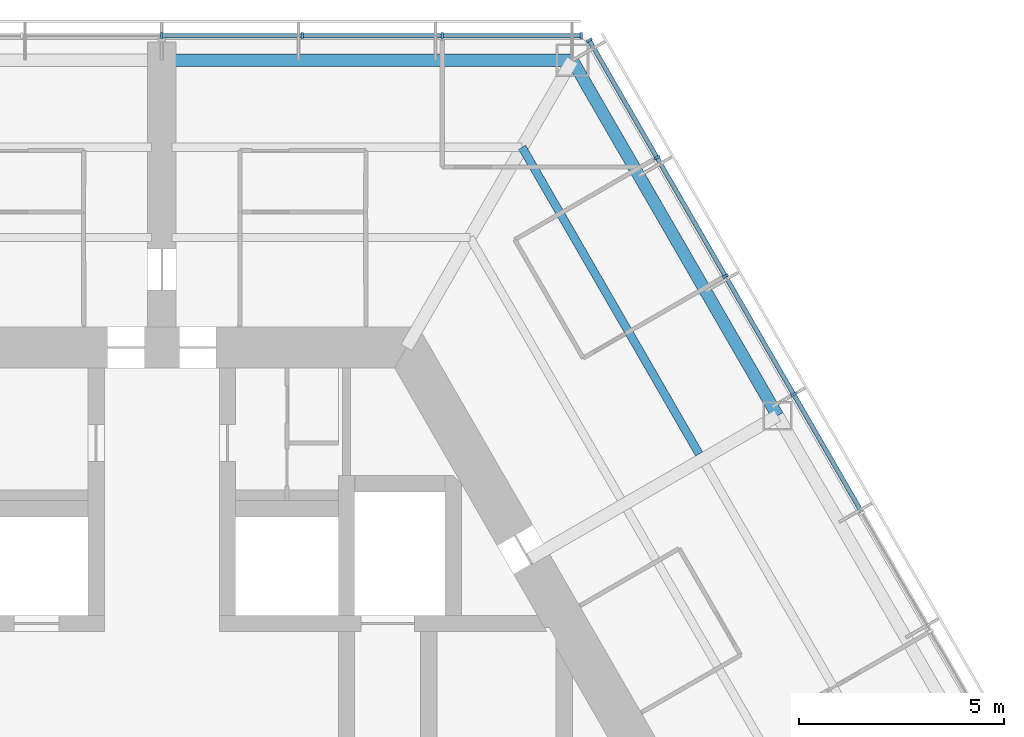
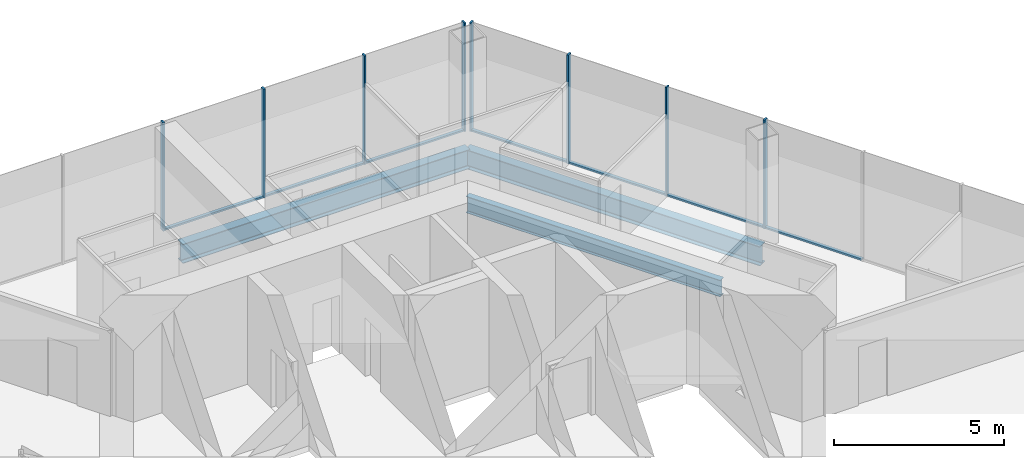
# One storey, part 8 of 18: 15 members, 3 beams, 2 elements without a shape of their own.
"""IFC4 building model written with IfcOpenShell, lengths in metres."""

import ifcopenshell
import ifcopenshell.guid

model = None  # the IFC model being written
_history = None  # IfcOwnerHistory: only IFC2X3 demands one
_inside = {}  # id of a spatial element -> (the spatial element, [elements in it])
_under = {}  # id of a project, library or spatial element -> (it, [spatial elements below it])
_declared = {}  # id of a project -> (the project, [libraries it declares])
_typed = {}  # id of a type object -> (the type object, [elements of that type])
_made_of = {}  # id of a material, layer set ... -> (it, [elements and type objects made of it])


def new_model(schema):
    """Start an empty IFC model of exactly this schema.

    Asked for "IFC4X3", IfcOpenShell would pick the latest addendum, in which some entities
    have other attributes; the version numbers below select the first issue.
    IFC2X3 requires an IfcOwnerHistory on every rooted entity: one is made here for all.
    """
    global model, _history
    if schema == "IFC4X3":
        model = ifcopenshell.file(schema_version=(4, 3, 0, 0))
    else:
        model = ifcopenshell.file(schema=schema)
    _inside.clear()
    _under.clear()
    _declared.clear()
    _typed.clear()
    _made_of.clear()
    _history = None
    if model.schema == "IFC2X3":
        org = make("IfcOrganization", Name="unknown")
        user = make(
            "IfcPersonAndOrganization",
            ThePerson=make("IfcPerson", FamilyName="unknown"),
            TheOrganization=org,
        )
        app = make(
            "IfcApplication",
            ApplicationDeveloper=org,
            Version="unknown",
            ApplicationFullName="unknown",
            ApplicationIdentifier="unknown",
        )
        _history = make(
            "IfcOwnerHistory",
            OwningUser=user,
            OwningApplication=app,
            ChangeAction="ADDED",
            CreationDate=0,
        )
    return model


def make(cls, **values):
    """One entity of the class cls with the attributes given. An attribute that is None is left unset."""
    return model.create_entity(
        cls, **{name: value for name, value in values.items() if value is not None}
    )


def rooted(cls, **values):
    """An entity with a GlobalId (a new one), such as an element, a storey or a relation."""
    return make(cls, GlobalId=ifcopenshell.guid.new(), OwnerHistory=_history, **values)


def si_unit(unit_type, name, prefix=None):
    """IfcSIUnit, for example si_unit("LENGTHUNIT", "METRE", prefix="MILLI")."""
    return make("IfcSIUnit", UnitType=unit_type, Prefix=prefix, Name=name)


def assignment(units):
    """IfcUnitAssignment: the units of a project."""
    return None if units is None else make("IfcUnitAssignment", Units=units)


def point(xyz):
    """IfcCartesianPoint."""
    return None if xyz is None else make("IfcCartesianPoint", Coordinates=xyz)


def direction(xyz):
    """IfcDirection."""
    return None if xyz is None else make("IfcDirection", DirectionRatios=xyz)


def frame(location, z_axis=None, x_axis=None):
    """IfcAxis2Placement3D, a coordinate frame: its origin and axes. An axis left out is left unset."""
    return make(
        "IfcAxis2Placement3D",
        Location=point(location),
        Axis=direction(z_axis),
        RefDirection=direction(x_axis),
    )


def frame_2d(location, x_axis=None):
    """IfcAxis2Placement2D, a coordinate frame in the plane: its origin and x axis."""
    return make(
        "IfcAxis2Placement2D", Location=point(location), RefDirection=direction(x_axis)
    )


def origin():
    """The frame at (0, 0, 0) with its axes left unset."""
    return frame((0.0, 0.0, 0.0))


def origin_2d():
    """The frame at (0, 0) in the plane with its x axis left unset."""
    return frame_2d((0.0, 0.0))


def place(relative_to, where):
    """IfcLocalPlacement: puts the frame where relative to a parent placement (None: the world)."""
    return make(
        "IfcLocalPlacement", PlacementRelTo=relative_to, RelativePlacement=where
    )


def context(
    kind, dimensions, precision=None, world=None, true_north=None, identifier=None
):
    """IfcGeometricRepresentationContext, for example the 3D "Model" context."""
    return make(
        "IfcGeometricRepresentationContext",
        ContextIdentifier=identifier,
        ContextType=kind,
        CoordinateSpaceDimension=dimensions,
        Precision=precision,
        WorldCoordinateSystem=world,
        TrueNorth=true_north,
    )


def subcontext(parent, identifier, kind, view, scale=None):
    """IfcGeometricRepresentationSubContext, for example "Body" below "Model"."""
    return make(
        "IfcGeometricRepresentationSubContext",
        ContextIdentifier=identifier,
        ContextType=kind,
        ParentContext=parent,
        TargetScale=scale,
        TargetView=view,
    )


def project(units=None, contexts=None):
    """IfcProject with its units and contexts."""
    return rooted(
        "IfcProject",
        Name="project",
        RepresentationContexts=contexts,
        UnitsInContext=assignment(units),
    )


def spatial(cls, under=None, at=None, **own):
    """A site, building, storey or space (cls), placed at a placement, below another one or the project."""
    s = rooted(cls, ObjectPlacement=at, **own)
    if under is not None:
        _under.setdefault(under.id(), (under, []))[1].append(s)
    return s


def profile(cls, at=None, kind="AREA", **sizes):
    """A parametric profile (cls). Its sizes go by their IFC names, for example OverallWidth=200.0."""
    return make(cls, ProfileType=kind, Position=at, **sizes)


def rectangle(**sizes):
    """IfcRectangleProfileDef."""
    return profile("IfcRectangleProfileDef", **sizes)


def i_section(**sizes):
    """IfcIShapeProfileDef."""
    return profile("IfcIShapeProfileDef", **sizes)


def extrude(swept, where, along, depth):
    """IfcExtrudedAreaSolid: the profile swept, set in the frame where, extruded along a direction by depth."""
    return make(
        "IfcExtrudedAreaSolid",
        SweptArea=swept,
        Position=where,
        ExtrudedDirection=direction(along),
        Depth=depth,
    )


def shape(context_of_items, identifier, shape_type, items):
    """IfcShapeRepresentation: the items that make up one representation, for example the "Body"."""
    return make(
        "IfcShapeRepresentation",
        ContextOfItems=context_of_items,
        RepresentationIdentifier=identifier,
        RepresentationType=shape_type,
        Items=items,
    )


def material(Name=None, Category=None):
    """IfcMaterial."""
    return make("IfcMaterial", Name=Name, Category=Category)


def material_profile(
    of_material, cross_section, Name=None, Category=None, Priority=None
):
    """IfcMaterialProfile: a cross section and its material."""
    return make(
        "IfcMaterialProfile",
        Name=Name,
        Material=of_material,
        Profile=cross_section,
        Priority=Priority,
        Category=Category,
    )


def profile_set(profiles, Name=None, composite=None):
    """IfcMaterialProfileSet."""
    return make(
        "IfcMaterialProfileSet",
        Name=Name,
        MaterialProfiles=profiles,
        CompositeProfile=composite,
    )


def made_of(thing, what):
    """Note that an element or type object is made of a material, layer set ...; save() writes the relation."""
    if what is not None:
        _made_of.setdefault(what.id(), (what, []))[1].append(thing)
    return thing


def type_object(cls, material=None, **own):
    """A type object (cls), such as IfcWallType, which elements share."""
    return made_of(rooted(cls, **own), material)


def element(
    cls,
    number,
    at=None,
    inside=None,
    cuts=None,
    type_object=None,
    material=None,
    context=None,
    identifier="Body",
    shape_type=None,
    held_by="IfcProductDefinitionShape",
    body=None,
    shapes=None,
    **own,
):
    """One element of the class cls, such as IfcWall. Its Tag is "e" and its number.

    at: its placement. inside: the storey or other place that contains it. cuts: it is an
    opening in that element (IfcRelVoidsElement). A single representation is given by context,
    identifier, shape_type and body (its items); several are given by shapes. held_by: the class
    of the entity that holds the representations. save() writes the other relations.
    """
    e = rooted(cls, Tag="e%d" % number, ObjectPlacement=at, **own)
    if body is not None:
        shapes = [shape(context, identifier, shape_type, body)]
    if shapes is not None:
        e.Representation = make(held_by, Representations=shapes)
    if inside is not None:
        _inside.setdefault(inside.id(), (inside, []))[1].append(e)
    if cuts is not None:
        rooted(
            "IfcRelVoidsElement", RelatingBuildingElement=cuts, RelatedOpeningElement=e
        )
    if type_object is not None:
        _typed.setdefault(type_object.id(), (type_object, []))[1].append(e)
    return made_of(e, material)


def aggregate(whole, parts):
    """IfcRelAggregates: a whole, such as a stair, and the parts it consists of."""
    return rooted("IfcRelAggregates", RelatingObject=whole, RelatedObjects=parts)


def save(model, path):
    """Write the relations noted so far, then the file.

    IfcRelAggregates (storeys below a building ...), IfcRelContainedInSpatialStructure (elements
    in a storey), IfcRelDefinesByType, IfcRelAssociatesMaterial and IfcRelDeclares: one each for
    every whole, place, type object, material and project.
    """
    for whole, parts in _under.values():
        aggregate(whole, parts)
    for where, things in _inside.values():
        rooted(
            "IfcRelContainedInSpatialStructure",
            RelatedElements=things,
            RelatingStructure=where,
        )
    for kind, things in _typed.values():
        rooted("IfcRelDefinesByType", RelatedObjects=things, RelatingType=kind)
    for what, things in _made_of.values():
        rooted("IfcRelAssociatesMaterial", RelatedObjects=things, RelatingMaterial=what)
    for by, libraries in _declared.values():
        rooted("IfcRelDeclares", RelatingContext=by, RelatedDefinitions=libraries)
    model.write(path)


model = new_model("IFC4")

# Units and contexts
model_context = context("Model", 3, precision=1e-05, world=origin(), true_north=direction((0.0, 1.0)))
body_context = subcontext(model_context, "Body", "Model", "MODEL_VIEW")
ifc_project = project(units=[si_unit("LENGTHUNIT", "METRE"), si_unit("AREAUNIT", "SQUARE_METRE"), si_unit("VOLUMEUNIT", "CUBIC_METRE"), si_unit("PLANEANGLEUNIT", "RADIAN"), si_unit("MASSUNIT", "GRAM", prefix="KILO")], contexts=[model_context])

# Site, building, storey
site_placement = place(None, origin())
site = spatial("IfcSite", under=ifc_project, at=site_placement, CompositionType="ELEMENT")
building_placement = place(site_placement, origin())
building = spatial("IfcBuilding", under=site, at=building_placement, Name="Kasaneha Research Tower", CompositionType="ELEMENT")
storey_placement = place(building_placement, frame((0.0, 0.0, 148.699951171875)))
storey = spatial("IfcBuildingStorey", under=building, at=storey_placement, Name="L37", CompositionType="ELEMENT", Elevation=148.699951171875)

# Beam
ifc_material_1 = material(Name="Steel SN490B", Category="steel")
ifc_material_profile_1 = material_profile(ifc_material_1, i_section(OverallWidth=0.199951171875, OverallDepth=0.60009765625, WebThickness=0.010986328125, FlangeThickness=0.01708984375, FilletRadius=0.012939453125, at=origin_2d()), Name="H-600x200x11x17")
ifc_profile_set_1 = profile_set([ifc_material_profile_1], Name="Steel SN490B")
beam_type_1 = type_object("IfcBeamType", Name="B1-3 secondary beam H-600x200x11x17", PredefinedType="JOIST", material=ifc_profile_set_1)
beam_1_placement = place(storey_placement, frame((8.775634765625, 15.199951171875, -0.449951171875), z_axis=(0.500017275495, -0.866015429543, 0.0), x_axis=(0.866015429543, 0.500017275495, 0.0)))
element("IfcBeam", 1, at=beam_1_placement, inside=storey, type_object=beam_type_1, Name="Secondary beam RS030R2 L37", PredefinedType="JOIST", context=body_context, shape_type="SweptSolid", body=[
    extrude(i_section(OverallWidth=0.199951171875, OverallDepth=0.60009765625, WebThickness=0.010986328125, FlangeThickness=0.01708984375, FilletRadius=0.012939453125, at=origin_2d()), origin(), (0.0, 0.0, 1.0), 8.625732421875),
])

# Curtain wall, members
ifc_material_2 = material(Name="Glass and aluminium", Category="aluminium")
curtain_wall_type = type_object("IfcCurtainWallType", Name="Mid-rise office curtain wall", PredefinedType="USERDEFINED", material=ifc_material_2)
curtain_wall_1_placement = place(storey_placement, origin())
curtain_wall_1 = element("IfcCurtainWall", 2, at=curtain_wall_1_placement, inside=storey, type_object=curtain_wall_type, Name="CW-O2 L37 run 06a", ObjectType="UNITISED CURTAIN WALL", PredefinedType="USERDEFINED")
ifc_material_3 = material(Name="Aluminium 6063-T6", Category="aluminium")
ifc_material_profile_2 = material_profile(ifc_material_3, rectangle(XDim=0.06005859375, YDim=0.14990234375, at=origin_2d()), Name="CW-O2 mullion 60x150")
ifc_profile_set_2 = profile_set([ifc_material_profile_2], Name="Aluminium 6063-T6")
member_type_1 = type_object("IfcMemberType", Name="CW-O2 mullion", PredefinedType="MULLION", material=ifc_profile_set_2)
member_1_placement = place(storey_placement, frame((15.392822265625, 9.179931640625, 0.0), z_axis=(0.0, 0.0, 1.0), x_axis=(-0.499999979232, 0.866025415775, 0.0)))
member_1 = element("IfcMember", 3, at=member_1_placement, type_object=member_type_1, Name="CW-O2 mullion 4", PredefinedType="MULLION", context=body_context, shape_type="SweptSolid", body=[
    extrude(rectangle(XDim=0.06005859375, YDim=0.14990234375, at=origin_2d()), origin(), (0.0, 0.0, 1.0), 3.900146484375),
])
member_2_placement = place(storey_placement, frame((13.727294921875, 12.064453125, 0.0), z_axis=(0.0, 0.0, 1.0), x_axis=(-0.499999979232, 0.866025415775, 0.0)))
member_2 = element("IfcMember", 4, at=member_2_placement, type_object=member_type_1, Name="CW-O2 mullion 5", PredefinedType="MULLION", context=body_context, shape_type="SweptSolid", body=[
    extrude(rectangle(XDim=0.06005859375, YDim=0.14990234375, at=origin_2d()), origin(), (0.0, 0.0, 1.0), 3.900146484375),
])
member_3_placement = place(storey_placement, frame((12.061767578125, 14.94921875, 0.0), z_axis=(0.0, 0.0, 1.0), x_axis=(-0.499999979232, 0.866025415775, 0.0)))
member_3 = element("IfcMember", 5, at=member_3_placement, type_object=member_type_1, Name="CW-O2 mullion 6", PredefinedType="MULLION", context=body_context, shape_type="SweptSolid", body=[
    extrude(rectangle(XDim=0.06005859375, YDim=0.14990234375, at=origin_2d()), origin(), (0.0, 0.0, 1.0), 3.900146484375),
])
member_4_placement = place(storey_placement, frame((10.411376953125, 17.807861328125, 0.0), z_axis=(0.0, 0.0, 1.0), x_axis=(-0.499999979232, 0.866025415775, 0.0)))
member_4 = element("IfcMember", 6, at=member_4_placement, type_object=member_type_1, Name="CW-O2 mullion 7", PredefinedType="MULLION", context=body_context, shape_type="SweptSolid", body=[
    extrude(rectangle(XDim=0.06005859375, YDim=0.14990234375, at=origin_2d()), origin(), (0.0, 0.0, 1.0), 3.900146484375),
])

curtain_wall_2_placement = place(storey_placement, origin())
curtain_wall_2 = element("IfcCurtainWall", 7, at=curtain_wall_2_placement, inside=storey, type_object=curtain_wall_type, Name="CW-O2 L37 run 07a", ObjectType="UNITISED CURTAIN WALL", PredefinedType="USERDEFINED")
member_5_placement = place(storey_placement, frame((10.21630859375, 17.92041015625, 0.0), z_axis=(0.0, 0.0, 1.0), x_axis=(-1.0, 0.0, 0.0)))
member_5 = element("IfcMember", 8, at=member_5_placement, type_object=member_type_1, Name="CW-O2 mullion 1", PredefinedType="MULLION", context=body_context, shape_type="SweptSolid", body=[
    extrude(rectangle(XDim=0.06005859375, YDim=0.14990234375, at=origin_2d()), origin(), (0.0, 0.0, 1.0), 3.900146484375),
])
member_6_placement = place(storey_placement, frame((6.8310546875, 17.92041015625, 0.0), z_axis=(0.0, 0.0, 1.0), x_axis=(-1.0, 0.0, 0.0)))
member_6 = element("IfcMember", 9, at=member_6_placement, type_object=member_type_1, Name="CW-O2 mullion 2", PredefinedType="MULLION", context=body_context, shape_type="SweptSolid", body=[
    extrude(rectangle(XDim=0.06005859375, YDim=0.14990234375, at=origin_2d()), origin(), (0.0, 0.0, 1.0), 3.900146484375),
])
member_7_placement = place(storey_placement, frame((3.41552734375, 17.92041015625, 0.0), z_axis=(0.0, 0.0, 1.0), x_axis=(-1.0, 0.0, 0.0)))
member_7 = element("IfcMember", 10, at=member_7_placement, type_object=member_type_1, Name="CW-O2 mullion 3", PredefinedType="MULLION", context=body_context, shape_type="SweptSolid", body=[
    extrude(rectangle(XDim=0.06005859375, YDim=0.14990234375, at=origin_2d()), origin(), (0.0, 0.0, 1.0), 3.900146484375),
])
member_8_placement = place(storey_placement, frame((0.0, 17.92041015625, 0.0), z_axis=(0.0, 0.0, 1.0), x_axis=(-1.0, 0.0, 0.0)))
member_8 = element("IfcMember", 11, at=member_8_placement, type_object=member_type_1, Name="CW-O2 mullion 4", PredefinedType="MULLION", context=body_context, shape_type="SweptSolid", body=[
    extrude(rectangle(XDim=0.06005859375, YDim=0.14990234375, at=origin_2d()), origin(), (0.0, 0.0, 1.0), 3.900146484375),
])

# Member
ifc_material_4 = material(Name="Aluminium 6063-T6", Category="aluminium")
ifc_material_profile_3 = material_profile(ifc_material_4, rectangle(XDim=0.110107421875, YDim=0.06005859375, at=origin_2d()), Name="CW-O2 transom 110x60")
ifc_profile_set_3 = profile_set([ifc_material_profile_3], Name="Aluminium 6063-T6")
member_type_2 = type_object("IfcMemberType", Name="CW-O2 transom", PredefinedType="USERDEFINED", material=ifc_profile_set_3)
member_9_placement = place(storey_placement, frame((17.043212890625, 6.3212890625, 0.030029296875), z_axis=(-0.50003259116, 0.866006586452, 0.0), x_axis=(-0.866006586452, -0.50003259116, 0.0)))
member_9 = element("IfcMember", 12, at=member_9_placement, type_object=member_type_2, Name="CW-O2 transom 3", ObjectType="TRANSOM", PredefinedType="USERDEFINED", context=body_context, shape_type="SweptSolid", body=[
    extrude(rectangle(XDim=0.110107421875, YDim=0.06005859375, at=origin_2d()), origin(), (0.0, 0.0, 1.0), 3.270751953125),
])

member_10_placement = place(storey_placement, frame((15.3779296875, 9.205810546875, 0.030029296875), z_axis=(-0.500000270186, 0.866025247793, 0.0), x_axis=(-0.866025247793, -0.500000270186, 0.0)))
member_10 = element("IfcMember", 13, at=member_10_placement, type_object=member_type_2, Name="CW-O2 transom 4", ObjectType="TRANSOM", PredefinedType="USERDEFINED", context=body_context, shape_type="SweptSolid", body=[
    extrude(rectangle(XDim=0.110107421875, YDim=0.06005859375, at=origin_2d()), origin(), (0.0, 0.0, 1.0), 3.27099609375),
])

member_11_placement = place(storey_placement, frame((13.71240234375, 12.090576171875, 0.030029296875), z_axis=(-0.500000270186, 0.866025247793, 0.0), x_axis=(-0.866025247793, -0.500000270186, 0.0)))
member_11 = element("IfcMember", 14, at=member_11_placement, type_object=member_type_2, Name="CW-O2 transom 5", ObjectType="TRANSOM", PredefinedType="USERDEFINED", context=body_context, shape_type="SweptSolid", body=[
    extrude(rectangle(XDim=0.110107421875, YDim=0.06005859375, at=origin_2d()), origin(), (0.0, 0.0, 1.0), 3.27099609375),
])

member_12_placement = place(storey_placement, frame((12.046875, 14.97509765625, 0.030029296875), z_axis=(-0.499955025697, 0.866051368154, 0.0), x_axis=(-0.866051368154, -0.499955025697, 0.0)))
member_12 = element("IfcMember", 15, at=member_12_placement, type_object=member_type_2, Name="CW-O2 transom 6", ObjectType="TRANSOM", PredefinedType="USERDEFINED", context=body_context, shape_type="SweptSolid", body=[
    extrude(rectangle(XDim=0.110107421875, YDim=0.06005859375, at=origin_2d()), origin(), (0.0, 0.0, 1.0), 3.240966796875),
])

aggregate(curtain_wall_1, [member_1, member_2, member_3, member_4, member_9, member_10, member_11, member_12])

member_13_placement = place(storey_placement, frame((10.1865234375, 17.92041015625, 0.030029296875), z_axis=(-1.0, 0.0, 0.0), x_axis=(0.0, -1.0, 0.0)))
member_13 = element("IfcMember", 16, at=member_13_placement, type_object=member_type_2, Name="CW-O2 transom 1", ObjectType="TRANSOM", PredefinedType="USERDEFINED", context=body_context, shape_type="SweptSolid", body=[
    extrude(rectangle(XDim=0.110107421875, YDim=0.06005859375, at=origin_2d()), origin(), (0.0, 0.0, 1.0), 3.32568359375),
])

member_14_placement = place(storey_placement, frame((6.801025390625, 17.92041015625, 0.030029296875), z_axis=(-1.0, 0.0, 0.0), x_axis=(0.0, -1.0, 0.0)))
member_14 = element("IfcMember", 17, at=member_14_placement, type_object=member_type_2, Name="CW-O2 transom 2", ObjectType="TRANSOM", PredefinedType="USERDEFINED", context=body_context, shape_type="SweptSolid", body=[
    extrude(rectangle(XDim=0.110107421875, YDim=0.06005859375, at=origin_2d()), origin(), (0.0, 0.0, 1.0), 3.35546875),
])

member_15_placement = place(storey_placement, frame((3.385498046875, 17.92041015625, 0.030029296875), z_axis=(-1.0, 0.0, 0.0), x_axis=(0.0, -1.0, 0.0)))
member_15 = element("IfcMember", 18, at=member_15_placement, type_object=member_type_2, Name="CW-O2 transom 3", ObjectType="TRANSOM", PredefinedType="USERDEFINED", context=body_context, shape_type="SweptSolid", body=[
    extrude(rectangle(XDim=0.110107421875, YDim=0.06005859375, at=origin_2d()), origin(), (0.0, 0.0, 1.0), 3.35546875),
])

aggregate(curtain_wall_2, [member_5, member_6, member_7, member_8, member_13, member_14, member_15])

# Beams
ifc_material_5 = material(Name="Steel SN490B", Category="steel")
ifc_material_profile_4 = material_profile(ifc_material_5, i_section(OverallWidth=0.300048828125, OverallDepth=0.69189453125, WebThickness=0.012939453125, FlangeThickness=0.02001953125, FilletRadius=0.01806640625, at=origin_2d()), Name="H-692x300x13x20")
ifc_profile_set_4 = profile_set([ifc_material_profile_4], Name="Steel SN490B")
beam_type_2 = type_object("IfcBeamType", Name="G3-3 plate edge girder H-692x300x13x20", PredefinedType="BEAM", material=ifc_profile_set_4)
beam_2_placement = place(storey_placement, frame((10.0, 17.320556640625, -0.495849609375), z_axis=(-1.0, 0.0, 0.0), x_axis=(0.0, -1.0, 0.0)))
element("IfcBeam", 19, at=beam_2_placement, inside=storey, type_object=beam_type_2, Name="Plate edge girder PEAP L37", PredefinedType="BEAM", context=body_context, shape_type="SweptSolid", body=[
    extrude(i_section(OverallWidth=0.300048828125, OverallDepth=0.69189453125, WebThickness=0.012939453125, FlangeThickness=0.02001953125, FilletRadius=0.01806640625, at=origin_2d()), origin(), (0.0, 0.0, 1.0), 9.75),
])
ifc_material_6 = material(Name="Steel SN490B", Category="steel")
ifc_material_profile_5 = material_profile(ifc_material_6, i_section(OverallWidth=0.300048828125, OverallDepth=0.69189453125, WebThickness=0.012939453125, FlangeThickness=0.02001953125, FilletRadius=0.01806640625, at=origin_2d()), Name="H-692x300x13x20")
ifc_profile_set_5 = profile_set([ifc_material_profile_5], Name="Steel SN490B")
beam_type_3 = type_object("IfcBeamType", Name="SB1-3 spandrel beam H-692x300x13x20", PredefinedType="SPANDREL", material=ifc_profile_set_5)
beam_3_placement = place(storey_placement, frame((10.0, 17.320556640625, -0.495849609375), z_axis=(0.499993662806, -0.866029062534, 0.0), x_axis=(0.866029062534, 0.499993662806, 0.0)))
element("IfcBeam", 20, at=beam_3_placement, inside=storey, type_object=beam_type_3, Name="Spandrel beam SR030R L37", PredefinedType="SPANDREL", context=body_context, shape_type="SweptSolid", body=[
    extrude(i_section(OverallWidth=0.300048828125, OverallDepth=0.69189453125, WebThickness=0.012939453125, FlangeThickness=0.02001953125, FilletRadius=0.01806640625, at=origin_2d()), origin(), (0.0, 0.0, 1.0), 10.000244140625),
])

save(model, "model.ifc")
